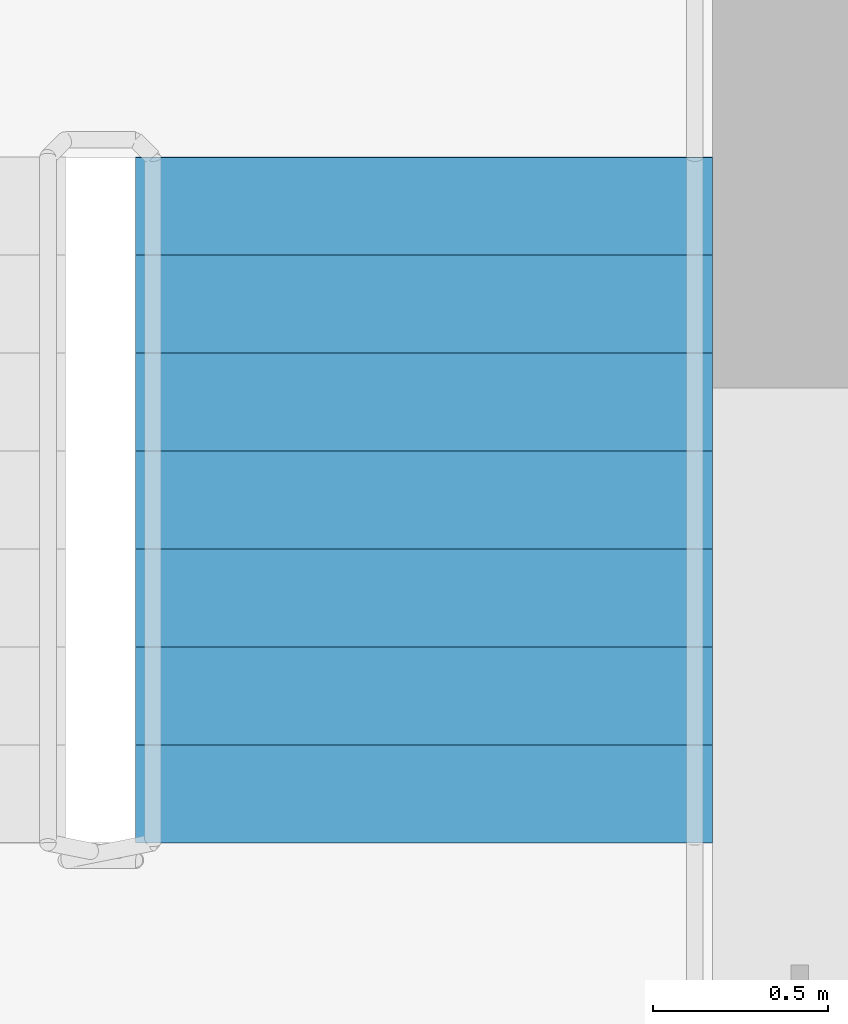
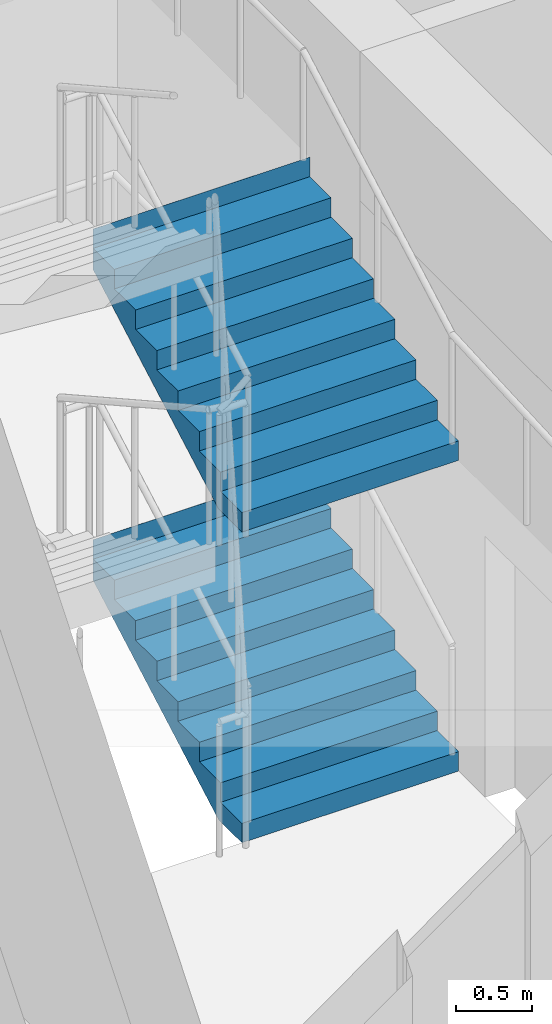
# One storey, part 13 of 15: 2 stair flights, 1 element without a shape of its own.
"""IFC4 building model written with IfcOpenShell, lengths in metres."""

from ifc_helpers import new_model, si_unit, direction, frame, origin, place, context, subcontext, project, spatial, polyline, outline, extrude, material, type_object, element, aggregate, save


model = new_model("IFC4")

# Units and contexts
model_context = context("Model", 3, precision=1e-05, world=origin(), true_north=direction((0.0, 1.0)))
body_context = subcontext(model_context, "Body", "Model", "MODEL_VIEW")
ifc_project = project(units=[si_unit("LENGTHUNIT", "METRE"), si_unit("AREAUNIT", "SQUARE_METRE"), si_unit("VOLUMEUNIT", "CUBIC_METRE"), si_unit("PLANEANGLEUNIT", "RADIAN"), si_unit("MASSUNIT", "GRAM", prefix="KILO")], contexts=[model_context])

# Site, building, storey
site_placement = place(None, origin())
site = spatial("IfcSite", under=ifc_project, at=site_placement, CompositionType="ELEMENT")
building_placement = place(site_placement, origin())
building = spatial("IfcBuilding", under=site, at=building_placement, Name="Tamorin Gate", CompositionType="ELEMENT")
storey_placement = place(building_placement, frame((0.0, 0.0, 297.699951171875)))
storey = spatial("IfcBuildingStorey", under=building, at=storey_placement, Name="L74", CompositionType="ELEMENT", Elevation=297.699951171875)

# Stair, stair flights
ifc_material = material(Name="Concrete C40/50", Category="concrete")
stair_type = type_object("IfcStairType", Name="Exit stair", PredefinedType="HALF_TURN_STAIR", material=ifc_material)
stair_placement = place(storey_placement, origin())
stair = element("IfcStair", 1, at=stair_placement, inside=storey, type_object=stair_type, Name="L74 stair ST2", PredefinedType="HALF_TURN_STAIR")
stair_flight_type = type_object("IfcStairFlightType", Name="Exit stair flight", PredefinedType="STRAIGHT", material=ifc_material)
stair_flight_1_placement = place(storey_placement, frame((33.675048828125, 77.0, 0.0), z_axis=(0.0, 0.0, 1.0), x_axis=(0.0, 1.0, 0.0)))
stair_flight_1 = element("IfcStairFlight", 2, at=stair_flight_1_placement, type_object=stair_flight_type, Name="ST2 flight 1", NumberOfRisers=8, NumberOfTreads=7, PredefinedType="STRAIGHT", RiserHeight=0.15625, TreadLength=0.28, context=body_context, shape_type="SweptSolid", body=[
    extrude(outline(polyline([(-0.00048828125, 0.0), (-0.00048828125, 0.00146484375), (-0.00048828125, 0.003173828125), (-0.00048828125, 0.004638671875), (-0.00048828125, 0.006103515625), (-0.00048828125, 0.0078125), (-0.00048828125, 0.00927734375), (-0.00048828125, 0.0107421875), (-0.00048828125, 0.012451171875), (-0.00048828125, 0.013916015625), (-0.00048828125, 0.015380859375), (-0.00048828125, 0.01708984375), (-0.00048828125, 0.0185546875), (-0.00048828125, 0.02001953125), (-0.00048828125, 0.021728515625), (-0.00048828125, 0.023193359375), (-0.00048828125, 0.024658203125), (-0.00048828125, 0.0263671875), (-0.00048828125, 0.02783203125), (-0.00048828125, 0.029296875), (-0.00048828125, 0.031005859375), (-0.00048828125, 0.032470703125), (-0.00048828125, 0.033935546875), (-0.00048828125, 0.03564453125), (-0.00048828125, 0.037109375), (-0.00048828125, 0.03857421875), (-0.00048828125, 0.040283203125), (-0.00048828125, 0.041748046875), (-0.00048828125, 0.043212890625), (-0.00048828125, 0.044921875), (-0.00048828125, 0.04638671875), (-0.00048828125, 0.0478515625), (-0.00048828125, 0.049560546875), (-0.00048828125, 0.051025390625), (-0.00048828125, 0.052490234375), (-0.00048828125, 0.05419921875), (-0.00048828125, 0.0556640625), (-0.00048828125, 0.05712890625), (-0.00048828125, 0.058837890625), (-0.00048828125, 0.060302734375), (-0.00048828125, 0.061767578125), (-0.00048828125, 0.0634765625), (-0.00048828125, 0.06494140625), (-0.00048828125, 0.06640625), (-0.00048828125, 0.068115234375), (-0.00048828125, 0.069580078125), (-0.00048828125, 0.071044921875), (-0.00048828125, 0.07275390625), (-0.00048828125, 0.07421875), (-0.00048828125, 0.07568359375), (-0.00048828125, 0.077392578125), (-0.00048828125, 0.078857421875), (-0.00048828125, 0.08056640625), (-0.00048828125, 0.08203125), (-0.00048828125, 0.08349609375), (-0.00048828125, 0.085205078125), (-0.00048828125, 0.086669921875), (-0.00048828125, 0.088134765625), (-0.00048828125, 0.08984375), (-0.00048828125, 0.09130859375), (-0.00048828125, 0.0927734375), (-0.00048828125, 0.094482421875), (-0.00048828125, 0.095947265625), (-0.00048828125, 0.097412109375), (-0.00048828125, 0.09912109375), (-0.00048828125, 0.1005859375), (-0.00048828125, 0.10205078125), (-0.00048828125, 0.103759765625), (-0.00048828125, 0.105224609375), (-0.00048828125, 0.106689453125), (-0.00048828125, 0.1083984375), (-0.00048828125, 0.10986328125), (-0.00048828125, 0.111328125), (-0.00048828125, 0.113037109375), (-0.00048828125, 0.114501953125), (-0.00048828125, 0.115966796875), (-0.00048828125, 0.11767578125), (-0.00048828125, 0.119140625), (-0.00048828125, 0.12060546875), (-0.00048828125, 0.122314453125), (-0.00048828125, 0.123779296875), (-0.00048828125, 0.125244140625), (-0.00048828125, 0.126953125), (-0.00048828125, 0.12841796875), (-0.00048828125, 0.1298828125), (-0.00048828125, 0.131591796875), (-0.00048828125, 0.133056640625), (-0.00048828125, 0.134521484375), (-0.00048828125, 0.13623046875), (-0.00048828125, 0.1376953125), (-0.00048828125, 0.13916015625), (-0.00048828125, 0.140869140625), (-0.00048828125, 0.142333984375), (-0.00048828125, 0.143798828125), (-0.00048828125, 0.1455078125), (-0.00048828125, 0.14697265625), (-0.00048828125, 0.1484375), (-0.00048828125, 0.150146484375), (-0.00048828125, 0.151611328125), (-0.00048828125, 0.153076171875), (-0.00048828125, 0.15478515625), (-0.00048828125, 0.15625), (0.280029296875, 0.15625), (0.280029296875, 0.3125), (0.56005859375, 0.3125), (0.56005859375, 0.46875), (0.840087890625, 0.46875), (0.840087890625, 0.625), (1.1201171875, 0.625), (1.1201171875, 0.78125), (1.39990234375, 0.78125), (1.39990234375, 0.9375), (1.679931640625, 0.9375), (1.679931640625, 1.09375), (1.9599609375, 1.09375), (1.9599609375, 1.25), (1.96044921875, 1.25), (1.96044921875, 1.246826171875), (1.96044921875, 1.243408203125), (1.96044921875, 1.240234375), (1.96044921875, 1.237060546875), (1.96044921875, 1.23388671875), (1.96044921875, 1.23046875), (1.96044921875, 1.227294921875), (1.96044921875, 1.22412109375), (1.96044921875, 1.220703125), (1.96044921875, 1.217529296875), (1.96044921875, 1.21435546875), (1.96044921875, 1.2109375), (1.96044921875, 1.207763671875), (1.96044921875, 1.20458984375), (1.96044921875, 1.201416015625), (1.96044921875, 1.197998046875), (1.96044921875, 1.19482421875), (1.96044921875, 1.191650390625), (1.96044921875, 1.188232421875), (1.96044921875, 1.18505859375), (1.96044921875, 1.181884765625), (1.96044921875, 1.178466796875), (1.96044921875, 1.17529296875), (1.96044921875, 1.172119140625), (1.96044921875, 1.1689453125), (1.96044921875, 1.16552734375), (1.96044921875, 1.162353515625), (1.96044921875, 1.1591796875), (1.96044921875, 1.15576171875), (1.96044921875, 1.152587890625), (1.96044921875, 1.1494140625), (1.96044921875, 1.14599609375), (1.96044921875, 1.142822265625), (1.96044921875, 1.1396484375), (1.96044921875, 1.136474609375), (1.96044921875, 1.133056640625), (1.96044921875, 1.1298828125), (1.96044921875, 1.126708984375), (1.96044921875, 1.123291015625), (1.96044921875, 1.1201171875), (1.96044921875, 1.116943359375), (1.96044921875, 1.113525390625), (1.96044921875, 1.1103515625), (1.96044921875, 1.107177734375), (1.96044921875, 1.10400390625), (1.96044921875, 1.1005859375), (1.96044921875, 1.097412109375), (1.96044921875, 1.09423828125), (1.96044921875, 1.0908203125), (1.96044921875, 1.087646484375), (1.96044921875, 1.08447265625), (1.96044921875, 1.0810546875), (1.96044921875, 1.077880859375), (1.96044921875, 1.07470703125), (1.96044921875, 1.071533203125), (1.96044921875, 1.068115234375), (1.96044921875, 1.06494140625), (1.96044921875, 1.061767578125), (1.96044921875, 1.058349609375), (1.96044921875, 1.05517578125), (1.96044921875, 1.052001953125), (1.96044921875, 1.048828125), (1.96044921875, 1.04541015625), (1.96044921875, 1.042236328125), (1.96044921875, 1.0390625), (1.96044921875, 1.03564453125), (1.96044921875, 1.032470703125), (1.96044921875, 1.029296875), (1.96044921875, 1.02587890625), (1.96044921875, 1.022705078125), (1.96044921875, 1.01953125), (1.96044921875, 1.016357421875), (1.96044921875, 1.012939453125), (1.96044921875, 1.009765625), (1.96044921875, 1.006591796875), (1.96044921875, 1.003173828125), (1.96044921875, 1.0), (1.96044921875, 0.996826171875), (1.96044921875, 0.993408203125), (1.96044921875, 0.990234375), (1.96044921875, 0.987060546875), (1.96044921875, 0.98388671875), (1.96044921875, 0.98046875), (1.96044921875, 0.977294921875), (1.96044921875, 0.97412109375), (1.96044921875, 0.970703125), (1.96044921875, 0.967529296875), (1.96044921875, 0.96435546875), (1.96044921875, 0.9609375), (1.96044921875, 0.957763671875), (1.96044921875, 0.95458984375), (1.96044921875, 0.951416015625), (1.96044921875, 0.947998046875), (1.96044921875, 0.94482421875), (1.96044921875, 0.941650390625), (1.96044921875, 0.938232421875), (1.96044921875, 0.93505859375), (1.96044921875, 0.931884765625), (1.96044921875, 0.928466796875), (1.96044921875, 0.92529296875), (1.96044921875, 0.922119140625), (1.9599609375, 0.922119140625), (0.3076171875, 0.0), (-0.00048828125, 0.0)])), frame((0.0, 0.824951171875, 0.0), z_axis=(0.0, -1.0, 0.0), x_axis=(1.0, 0.0, 0.0)), (0.0, 0.0, 1.0), 1.64990234375),
])
stair_flight_2_placement = place(storey_placement, frame((33.675048828125, 77.0, 2.5), z_axis=(0.0, 0.0, 1.0), x_axis=(0.0, 1.0, 0.0)))
stair_flight_2 = element("IfcStairFlight", 3, at=stair_flight_2_placement, type_object=stair_flight_type, Name="ST2 flight 3", NumberOfRisers=8, NumberOfTreads=7, PredefinedType="STRAIGHT", RiserHeight=0.15625, TreadLength=0.28, context=body_context, shape_type="SweptSolid", body=[
    extrude(outline(polyline([(-0.00048828125, 0.0), (-0.00048828125, 0.00146484375), (-0.00048828125, 0.003173828125), (-0.00048828125, 0.004638671875), (-0.00048828125, 0.006103515625), (-0.00048828125, 0.0078125), (-0.00048828125, 0.00927734375), (-0.00048828125, 0.0107421875), (-0.00048828125, 0.012451171875), (-0.00048828125, 0.013916015625), (-0.00048828125, 0.015380859375), (-0.00048828125, 0.01708984375), (-0.00048828125, 0.0185546875), (-0.00048828125, 0.02001953125), (-0.00048828125, 0.021728515625), (-0.00048828125, 0.023193359375), (-0.00048828125, 0.024658203125), (-0.00048828125, 0.0263671875), (-0.00048828125, 0.02783203125), (-0.00048828125, 0.029296875), (-0.00048828125, 0.031005859375), (-0.00048828125, 0.032470703125), (-0.00048828125, 0.033935546875), (-0.00048828125, 0.03564453125), (-0.00048828125, 0.037109375), (-0.00048828125, 0.03857421875), (-0.00048828125, 0.040283203125), (-0.00048828125, 0.041748046875), (-0.00048828125, 0.043212890625), (-0.00048828125, 0.044921875), (-0.00048828125, 0.04638671875), (-0.00048828125, 0.0478515625), (-0.00048828125, 0.049560546875), (-0.00048828125, 0.051025390625), (-0.00048828125, 0.052490234375), (-0.00048828125, 0.05419921875), (-0.00048828125, 0.0556640625), (-0.00048828125, 0.05712890625), (-0.00048828125, 0.058837890625), (-0.00048828125, 0.060302734375), (-0.00048828125, 0.061767578125), (-0.00048828125, 0.0634765625), (-0.00048828125, 0.06494140625), (-0.00048828125, 0.06640625), (-0.00048828125, 0.068115234375), (-0.00048828125, 0.069580078125), (-0.00048828125, 0.071044921875), (-0.00048828125, 0.07275390625), (-0.00048828125, 0.07421875), (-0.00048828125, 0.07568359375), (-0.00048828125, 0.077392578125), (-0.00048828125, 0.078857421875), (-0.00048828125, 0.08056640625), (-0.00048828125, 0.08203125), (-0.00048828125, 0.08349609375), (-0.00048828125, 0.085205078125), (-0.00048828125, 0.086669921875), (-0.00048828125, 0.088134765625), (-0.00048828125, 0.08984375), (-0.00048828125, 0.09130859375), (-0.00048828125, 0.0927734375), (-0.00048828125, 0.094482421875), (-0.00048828125, 0.095947265625), (-0.00048828125, 0.097412109375), (-0.00048828125, 0.09912109375), (-0.00048828125, 0.1005859375), (-0.00048828125, 0.10205078125), (-0.00048828125, 0.103759765625), (-0.00048828125, 0.105224609375), (-0.00048828125, 0.106689453125), (-0.00048828125, 0.1083984375), (-0.00048828125, 0.10986328125), (-0.00048828125, 0.111328125), (-0.00048828125, 0.113037109375), (-0.00048828125, 0.114501953125), (-0.00048828125, 0.115966796875), (-0.00048828125, 0.11767578125), (-0.00048828125, 0.119140625), (-0.00048828125, 0.12060546875), (-0.00048828125, 0.122314453125), (-0.00048828125, 0.123779296875), (-0.00048828125, 0.125244140625), (-0.00048828125, 0.126953125), (-0.00048828125, 0.12841796875), (-0.00048828125, 0.1298828125), (-0.00048828125, 0.131591796875), (-0.00048828125, 0.133056640625), (-0.00048828125, 0.134521484375), (-0.00048828125, 0.13623046875), (-0.00048828125, 0.1376953125), (-0.00048828125, 0.13916015625), (-0.00048828125, 0.140869140625), (-0.00048828125, 0.142333984375), (-0.00048828125, 0.143798828125), (-0.00048828125, 0.1455078125), (-0.00048828125, 0.14697265625), (-0.00048828125, 0.1484375), (-0.00048828125, 0.150146484375), (-0.00048828125, 0.151611328125), (-0.00048828125, 0.153076171875), (-0.00048828125, 0.15478515625), (-0.00048828125, 0.15625), (0.280029296875, 0.15625), (0.280029296875, 0.3125), (0.56005859375, 0.3125), (0.56005859375, 0.46875), (0.840087890625, 0.46875), (0.840087890625, 0.625), (1.1201171875, 0.625), (1.1201171875, 0.78125), (1.39990234375, 0.78125), (1.39990234375, 0.9375), (1.679931640625, 0.9375), (1.679931640625, 1.09375), (1.9599609375, 1.09375), (1.9599609375, 1.25), (1.96044921875, 1.25), (1.96044921875, 1.246826171875), (1.96044921875, 1.243408203125), (1.96044921875, 1.240234375), (1.96044921875, 1.237060546875), (1.96044921875, 1.23388671875), (1.96044921875, 1.23046875), (1.96044921875, 1.227294921875), (1.96044921875, 1.22412109375), (1.96044921875, 1.220703125), (1.96044921875, 1.217529296875), (1.96044921875, 1.21435546875), (1.96044921875, 1.2109375), (1.96044921875, 1.207763671875), (1.96044921875, 1.20458984375), (1.96044921875, 1.201416015625), (1.96044921875, 1.197998046875), (1.96044921875, 1.19482421875), (1.96044921875, 1.191650390625), (1.96044921875, 1.188232421875), (1.96044921875, 1.18505859375), (1.96044921875, 1.181884765625), (1.96044921875, 1.178466796875), (1.96044921875, 1.17529296875), (1.96044921875, 1.172119140625), (1.96044921875, 1.1689453125), (1.96044921875, 1.16552734375), (1.96044921875, 1.162353515625), (1.96044921875, 1.1591796875), (1.96044921875, 1.15576171875), (1.96044921875, 1.152587890625), (1.96044921875, 1.1494140625), (1.96044921875, 1.14599609375), (1.96044921875, 1.142822265625), (1.96044921875, 1.1396484375), (1.96044921875, 1.136474609375), (1.96044921875, 1.133056640625), (1.96044921875, 1.1298828125), (1.96044921875, 1.126708984375), (1.96044921875, 1.123291015625), (1.96044921875, 1.1201171875), (1.96044921875, 1.116943359375), (1.96044921875, 1.113525390625), (1.96044921875, 1.1103515625), (1.96044921875, 1.107177734375), (1.96044921875, 1.10400390625), (1.96044921875, 1.1005859375), (1.96044921875, 1.097412109375), (1.96044921875, 1.09423828125), (1.96044921875, 1.0908203125), (1.96044921875, 1.087646484375), (1.96044921875, 1.08447265625), (1.96044921875, 1.0810546875), (1.96044921875, 1.077880859375), (1.96044921875, 1.07470703125), (1.96044921875, 1.071533203125), (1.96044921875, 1.068115234375), (1.96044921875, 1.06494140625), (1.96044921875, 1.061767578125), (1.96044921875, 1.058349609375), (1.96044921875, 1.05517578125), (1.96044921875, 1.052001953125), (1.96044921875, 1.048828125), (1.96044921875, 1.04541015625), (1.96044921875, 1.042236328125), (1.96044921875, 1.0390625), (1.96044921875, 1.03564453125), (1.96044921875, 1.032470703125), (1.96044921875, 1.029296875), (1.96044921875, 1.02587890625), (1.96044921875, 1.022705078125), (1.96044921875, 1.01953125), (1.96044921875, 1.016357421875), (1.96044921875, 1.012939453125), (1.96044921875, 1.009765625), (1.96044921875, 1.006591796875), (1.96044921875, 1.003173828125), (1.96044921875, 1.0), (1.96044921875, 0.996826171875), (1.96044921875, 0.993408203125), (1.96044921875, 0.990234375), (1.96044921875, 0.987060546875), (1.96044921875, 0.98388671875), (1.96044921875, 0.98046875), (1.96044921875, 0.977294921875), (1.96044921875, 0.97412109375), (1.96044921875, 0.970703125), (1.96044921875, 0.967529296875), (1.96044921875, 0.96435546875), (1.96044921875, 0.9609375), (1.96044921875, 0.957763671875), (1.96044921875, 0.95458984375), (1.96044921875, 0.951416015625), (1.96044921875, 0.947998046875), (1.96044921875, 0.94482421875), (1.96044921875, 0.941650390625), (1.96044921875, 0.938232421875), (1.96044921875, 0.93505859375), (1.96044921875, 0.931884765625), (1.96044921875, 0.928466796875), (1.96044921875, 0.92529296875), (1.96044921875, 0.922119140625), (1.9599609375, 0.922119140625), (0.3076171875, 0.0), (-0.00048828125, 0.0)])), frame((0.0, 0.824951171875, 0.0), z_axis=(0.0, -1.0, 0.0), x_axis=(1.0, 0.0, 0.0)), (0.0, 0.0, 1.0), 1.64990234375),
])
aggregate(stair, [stair_flight_1, stair_flight_2])

save(model, "model.ifc")
